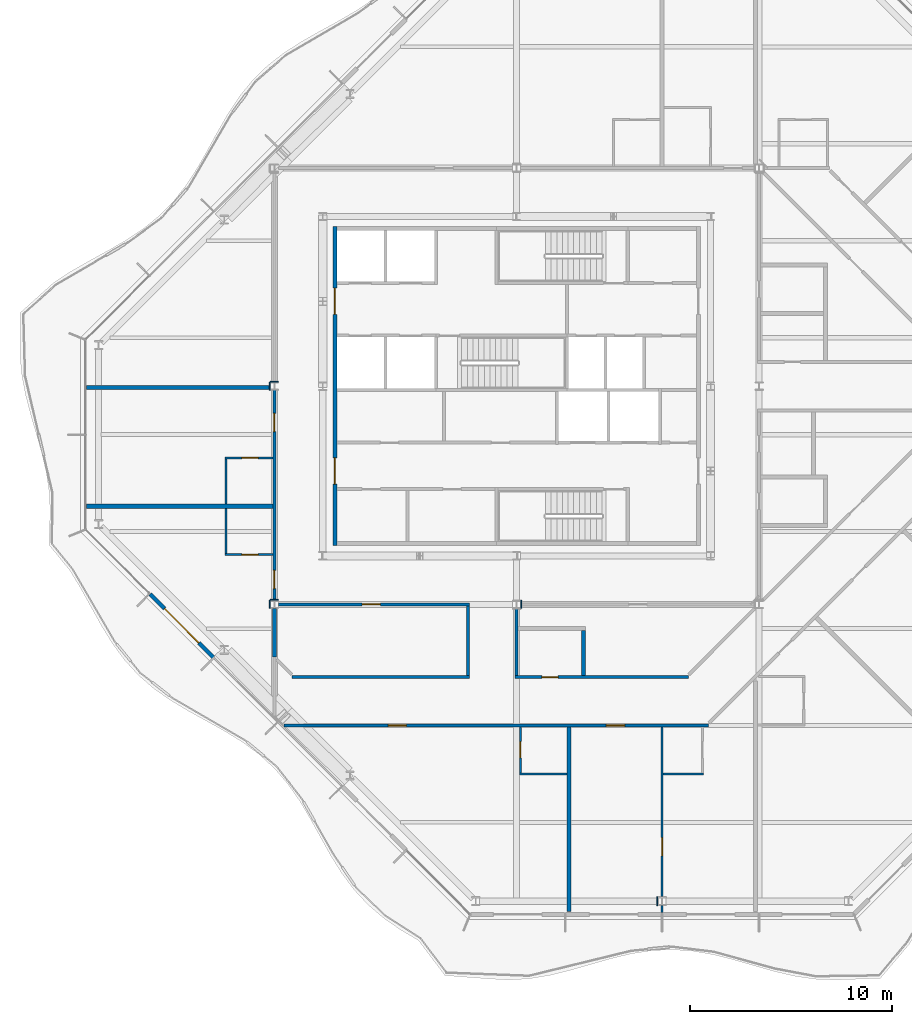
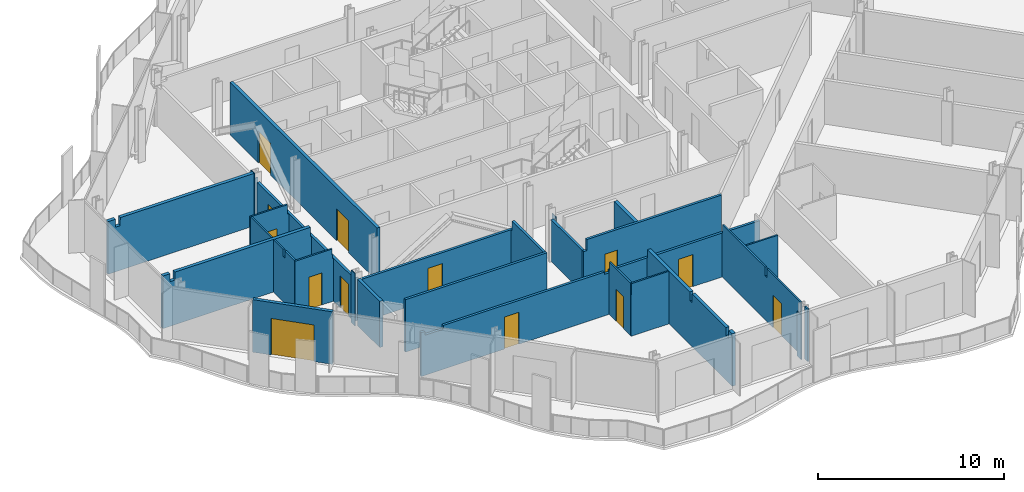
# One storey, part 7 of 17: 29 walls, 13 doors, 13 openings.
"""IFC4 building model written with IfcOpenShell, lengths in metres."""

from ifc_helpers import new_model, si_unit, direction, frame, frame_2d, origin, place, context, subcontext, project, spatial, polyline, rectangle, outline, extrude, material, layer, layer_set, type_object, element, fill, save


model = new_model("IFC4")

# Units and contexts
model_context = context("Model", 3, precision=1e-05, world=origin(), true_north=direction((0.0, 1.0)))
body_context = subcontext(model_context, "Body", "Model", "MODEL_VIEW")
ifc_project = project(units=[si_unit("LENGTHUNIT", "METRE"), si_unit("AREAUNIT", "SQUARE_METRE"), si_unit("VOLUMEUNIT", "CUBIC_METRE"), si_unit("PLANEANGLEUNIT", "RADIAN"), si_unit("MASSUNIT", "GRAM", prefix="KILO")], contexts=[model_context])

# Site, building, storey
site_placement = place(None, origin())
site = spatial("IfcSite", under=ifc_project, at=site_placement, CompositionType="ELEMENT")
building_placement = place(site_placement, origin())
building = spatial("IfcBuilding", under=site, at=building_placement, Name="Cairn Pilgrim Tower", CompositionType="ELEMENT")
storey_placement = place(building_placement, frame((0.0, 0.0, 225.0)))
storey = spatial("IfcBuildingStorey", under=building, at=storey_placement, Name="L57", CompositionType="ELEMENT", Elevation=225.0)

# Wall, opening, door
ifc_material_1 = material(Name="Bronze anodised aluminium insulated sandwich panel with mineral wool fill", Category="aluminium")
ifc_layer_1 = layer(ifc_material_1, 0.199951171875)
ifc_layer_set_1 = layer_set([ifc_layer_1], Name="BRONZE INFILL FRAME WALL 200")
wall_type_1 = type_object("IfcWallType", Name="BRONZE INFILL FRAME WALL 200", PredefinedType="NOTDEFINED", material=ifc_layer_set_1)
wall_1_placement = place(storey_placement, frame((-10.953125, -7.893310546875, 0.0), z_axis=(0.0, 0.0, 1.0), x_axis=(0.707106781187, -0.707106781187, 0.0)))
wall_1 = element("IfcWall", 1, at=wall_1_placement, inside=storey, type_object=wall_type_1, Name="Bronze infill frame wall IW-SW2", PredefinedType="NOTDEFINED", context=body_context, shape_type="SweptSolid", body=[
    extrude(rectangle(XDim=4.430908203125, YDim=0.199951171875, at=frame_2d((2.21533203125, 0.0))), origin(), (0.0, 0.0, 1.0), 3.449951171875),
])
opening_1_placement = place(wall_1_placement, frame((1.015380859375, 0.0, 0.0)))
opening_1 = element("IfcOpeningElement", 2, at=opening_1_placement, cuts=wall_1, Name="Opening 5712B", PredefinedType="OPENING", context=body_context, shape_type="SweptSolid", body=[
    extrude(rectangle(XDim=2.39990234375, YDim=2.39990234375, at=frame_2d((1.199951171875, 1.199951171875))), frame((0.0, 0.10986328125, 0.0), z_axis=(0.0, -1.0, 0.0), x_axis=(1.0, 0.0, 0.0)), (0.0, 0.0, 1.0), 0.219970703125),
])
ifc_material_2 = material(Name="Bronze anodised aluminium frame with tinted low-E glass", Category="aluminium")
door_type_1 = type_object("IfcDoorType", Name="BALCONY SLIDING DOOR 2400x2400", OperationType="DOUBLE_DOOR_SLIDING", PredefinedType="DOOR", material=ifc_material_2)
door_1_placement = place(opening_1_placement, origin())
door_1 = element("IfcDoor", 3, at=door_1_placement, inside=storey, type_object=door_type_1, Name="Balcony sliding door 5712B", OperationType="SINGLE_SWING_LEFT", OverallHeight=2.39990234375, OverallWidth=2.39990234375, PredefinedType="DOOR", context=body_context, shape_type="SweptSolid", body=[
    extrude(rectangle(XDim=2.39990234375, YDim=2.39990234375, at=frame_2d((1.199951171875, 1.199951171875))), frame((0.0, 0.02490234375, 0.0), z_axis=(0.0, -1.0, 0.0), x_axis=(1.0, 0.0, 0.0)), (0.0, 0.0, 1.0), 0.050048828125),
])
fill(opening_1, door_1)

# Wall, openings, doors
ifc_material_3 = material(Name="Concrete C32/40", Category="concrete")
ifc_layer_2 = layer(ifc_material_3, 0.199951171875)
ifc_layer_set_2 = layer_set([ifc_layer_2], Name="CORE OUTER WALL 200 EI 120")
wall_type_2 = type_object("IfcWallType", Name="CORE OUTER WALL 200 EI 120", PredefinedType="SOLIDWALL", material=ifc_layer_set_2)
wall_2_placement = place(storey_placement, frame((-1.800048828125, -5.5, 0.0), z_axis=(0.0, 0.0, 1.0), x_axis=(0.0, 1.0, 0.0)))
wall_2 = element("IfcWall", 4, at=wall_2_placement, inside=storey, type_object=wall_type_2, Name="CW:L57:V13", PredefinedType="SOLIDWALL", context=body_context, shape_type="SweptSolid", body=[
    extrude(rectangle(XDim=15.800048828125, YDim=0.199951171875, at=frame_2d((7.89990234375, 0.0))), origin(), (0.0, 0.0, 1.0), 3.449951171875),
])
opening_2_placement = place(wall_2_placement, frame((3.050048828125, 0.0, 0.0)))
opening_2 = element("IfcOpeningElement", 5, at=opening_2_placement, cuts=wall_2, Name="Opening CD-W1", PredefinedType="OPENING", context=body_context, shape_type="SweptSolid", body=[
    extrude(rectangle(XDim=1.300048828125, YDim=2.10009765625, at=frame_2d((0.64990234375, 1.050048828125))), frame((0.0, 0.10986328125, 0.0), z_axis=(0.0, -1.0, 0.0), x_axis=(1.0, 0.0, 0.0)), (0.0, 0.0, 1.0), 0.219970703125),
])
opening_3_placement = place(wall_2_placement, frame((11.449951171875, 0.0, 0.0)))
opening_3 = element("IfcOpeningElement", 6, at=opening_3_placement, cuts=wall_2, Name="Opening CD-W2", PredefinedType="OPENING", context=body_context, shape_type="SweptSolid", body=[
    extrude(rectangle(XDim=1.300048828125, YDim=2.10009765625, at=frame_2d((0.64990234375, 1.050048828125))), frame((0.0, 0.10986328125, 0.0), z_axis=(0.0, -1.0, 0.0), x_axis=(1.0, 0.0, 0.0)), (0.0, 0.0, 1.0), 0.219970703125),
])
ifc_material_4 = material(Name="Painted steel", Category="steel")
door_type_2 = type_object("IfcDoorType", Name="CORE LOBBY DOOR 1300x2100", OperationType="DOUBLE_DOOR_SINGLE_SWING", PredefinedType="DOOR", material=ifc_material_4)
door_2_placement = place(opening_2_placement, origin())
door_2 = element("IfcDoor", 7, at=door_2_placement, inside=storey, type_object=door_type_2, Name="CD-W1", OperationType="DOUBLE_DOOR_SINGLE_SWING", OverallHeight=2.10009765625, OverallWidth=1.300048828125, PredefinedType="DOOR", context=body_context, shape_type="SweptSolid", body=[
    extrude(rectangle(XDim=1.300048828125, YDim=2.10009765625, at=frame_2d((0.64990234375, 1.050048828125))), frame((0.0, 0.02490234375, 0.0), z_axis=(0.0, -1.0, 0.0), x_axis=(1.0, 0.0, 0.0)), (0.0, 0.0, 1.0), 0.050048828125),
])
fill(opening_2, door_2)
door_3_placement = place(opening_3_placement, origin())
door_3 = element("IfcDoor", 8, at=door_3_placement, inside=storey, type_object=door_type_2, Name="CD-W2", OperationType="DOUBLE_DOOR_SINGLE_SWING", OverallHeight=2.10009765625, OverallWidth=1.300048828125, PredefinedType="DOOR", context=body_context, shape_type="SweptSolid", body=[
    extrude(rectangle(XDim=1.300048828125, YDim=2.10009765625, at=frame_2d((0.64990234375, 1.050048828125))), frame((0.0, 0.02490234375, 0.0), z_axis=(0.0, -1.0, 0.0), x_axis=(1.0, 0.0, 0.0)), (0.0, 0.0, 1.0), 0.050048828125),
])
fill(opening_3, door_3)

# Wall
ifc_material_5 = material(Name="Gypsum partition")
ifc_layer_3 = layer(ifc_material_5, 0.10009765625)
ifc_layer_set_3 = layer_set([ifc_layer_3], Name="PARTITION 100 DRYWALL")
wall_type_3 = type_object("IfcWallType", Name="PARTITION 100 DRYWALL", PredefinedType="PARTITIONING", material=ifc_layer_set_3)
wall_3_placement = place(storey_placement, frame((14.39990234375, -23.64990234375, 0.0), z_axis=(0.0, 0.0, 1.0), x_axis=(0.0, 1.0, 0.0)))
element("IfcWall", 9, at=wall_3_placement, inside=storey, type_object=wall_type_3, Name="PARTITION W001", PredefinedType="PARTITIONING", context=body_context, shape_type="SweptSolid", body=[
    extrude(rectangle(XDim=0.326904296875, YDim=0.10009765625, at=frame_2d((0.16357421875, 0.0))), origin(), (0.0, 0.0, 1.0), 3.449951171875),
])

# Wall, opening, door
wall_4_placement = place(storey_placement, frame((14.39990234375, -22.876953125, 0.0), z_axis=(0.0, 0.0, 1.0), x_axis=(0.0, 1.0, 0.0)))
wall_4 = element("IfcWall", 10, at=wall_4_placement, inside=storey, type_object=wall_type_3, Name="PARTITION W004", PredefinedType="PARTITIONING", context=body_context, shape_type="SweptSolid", body=[
    extrude(outline(polyline([(0.0, 0.0), (8.40185546875, 0.0), (8.402099609375, 2.8798828125), (8.3720703125, 2.8798828125), (8.3701171875, 3.449951171875), (3.781982421875, 3.449951171875), (3.780029296875, 2.8798828125), (3.572021484375, 2.8798828125), (3.570068359375, 3.449951171875), (0.0, 3.449951171875), (0.0, 0.0)])), frame((0.0, 0.050048828125, 0.0), z_axis=(0.0, -1.0, 0.0), x_axis=(1.0, 0.0, 0.0)), (0.0, 0.0, 1.0), 0.10009765625),
])
opening_4_placement = place(wall_4_placement, frame((2.027099609375, 0.0, 0.0)))
opening_4 = element("IfcOpeningElement", 11, at=opening_4_placement, cuts=wall_4, Name="Opening 5714C", PredefinedType="OPENING", context=body_context, shape_type="SweptSolid", body=[
    extrude(rectangle(XDim=0.89990234375, YDim=2.10009765625, at=frame_2d((0.449951171875, 1.050048828125))), frame((0.0, 0.06005859375, 0.0), z_axis=(0.0, -1.0, 0.0), x_axis=(1.0, 0.0, 0.0)), (0.0, 0.0, 1.0), 0.1201171875),
])
ifc_material_6 = material(Name="Timber door leaf", Category="wood")
door_type_3 = type_object("IfcDoorType", Name="SERVICE DOOR 900x2100", OperationType="NOTDEFINED", PredefinedType="DOOR", material=ifc_material_6)
door_4_placement = place(opening_4_placement, origin())
door_4 = element("IfcDoor", 12, at=door_4_placement, inside=storey, type_object=door_type_3, Name="DOOR 5714C", OperationType="SINGLE_SWING_RIGHT", OverallHeight=2.10009765625, OverallWidth=0.89990234375, PredefinedType="DOOR", context=body_context, shape_type="SweptSolid", body=[
    extrude(rectangle(XDim=0.89990234375, YDim=2.10009765625, at=frame_2d((0.449951171875, 1.050048828125))), frame((0.0, 0.02490234375, 0.0), z_axis=(0.0, -1.0, 0.0), x_axis=(1.0, 0.0, 0.0)), (0.0, 0.0, 1.0), 0.050048828125),
])
fill(opening_4, door_4)

# Wall
wall_5_placement = place(storey_placement, frame((7.3359375, -16.800048828125, 0.0), z_axis=(0.0, 0.0, 1.0), x_axis=(1.0, 0.0, 0.0)))
element("IfcWall", 13, at=wall_5_placement, inside=storey, type_object=wall_type_3, Name="PARTITION W006", PredefinedType="PARTITIONING", context=body_context, shape_type="SweptSolid", body=[
    extrude(outline(polyline([(0.0, 0.0), (2.35009765625, 0.0), (2.35009765625, 3.449951171875), (0.013916015625, 3.449951171875), (0.011962890625, 2.72998046875), (0.0, 2.72998046875), (0.0, 0.0)])), frame((0.0, 0.050048828125, 0.0), z_axis=(0.0, -1.0, 0.0), x_axis=(1.0, 0.0, 0.0)), (0.0, 0.0, 1.0), 0.10009765625),
])

# Wall, opening, door
wall_6_placement = place(storey_placement, frame((7.385986328125, -16.75, 0.0), z_axis=(0.0, 0.0, 1.0), x_axis=(0.0, 1.0, 0.0)))
wall_6 = element("IfcWall", 14, at=wall_6_placement, inside=storey, type_object=wall_type_3, Name="PARTITION W007", PredefinedType="PARTITIONING", context=body_context, shape_type="SweptSolid", body=[
    extrude(outline(polyline([(0.0, 0.0), (2.27490234375, 0.0), (2.27490234375, 2.8798828125), (2.2451171875, 2.8798828125), (2.242919921875, 3.449951171875), (0.0, 3.449951171875), (0.0, 0.0)])), frame((0.0, 0.050048828125, 0.0), z_axis=(0.0, -1.0, 0.0), x_axis=(1.0, 0.0, 0.0)), (0.0, 0.0, 1.0), 0.10009765625),
])
opening_5_placement = place(wall_6_placement, frame((0.75, 0.0, 0.0)))
opening_5 = element("IfcOpeningElement", 15, at=opening_5_placement, cuts=wall_6, Name="Opening 5713A", PredefinedType="OPENING", context=body_context, shape_type="SweptSolid", body=[
    extrude(rectangle(XDim=0.800048828125, YDim=2.10009765625, at=frame_2d((0.39990234375, 1.050048828125))), frame((0.0, 0.06005859375, 0.0), z_axis=(0.0, -1.0, 0.0), x_axis=(1.0, 0.0, 0.0)), (0.0, 0.0, 1.0), 0.1201171875),
])
door_type_4 = type_object("IfcDoorType", Name="WC DOOR 800x2100", OperationType="NOTDEFINED", PredefinedType="DOOR", material=ifc_material_6)
door_5_placement = place(opening_5_placement, origin())
door_5 = element("IfcDoor", 16, at=door_5_placement, inside=storey, type_object=door_type_4, Name="DOOR 5713A", OperationType="SINGLE_SWING_RIGHT", OverallHeight=2.10009765625, OverallWidth=0.800048828125, PredefinedType="DOOR", context=body_context, shape_type="SweptSolid", body=[
    extrude(rectangle(XDim=0.800048828125, YDim=2.10009765625, at=frame_2d((0.39990234375, 1.050048828125))), frame((0.0, 0.02490234375, 0.0), z_axis=(0.0, -1.0, 0.0), x_axis=(1.0, 0.0, 0.0)), (0.0, 0.0, 1.0), 0.050048828125),
])
fill(opening_5, door_5)

# Wall
wall_7_placement = place(storey_placement, frame((14.449951171875, -16.800048828125, 0.0), z_axis=(0.0, 0.0, 1.0), x_axis=(1.0, 0.0, 0.0)))
element("IfcWall", 17, at=wall_7_placement, inside=storey, type_object=wall_type_3, Name="PARTITION W008", PredefinedType="PARTITIONING", context=body_context, shape_type="SweptSolid", body=[
    extrude(rectangle(XDim=2.0, YDim=0.10009765625, at=frame_2d((1.0, 0.0))), origin(), (0.0, 0.0, 1.0), 3.449951171875),
])

# Wall, opening, door
wall_8_placement = place(storey_placement, frame((-7.25, -5.944091796875, 0.0), z_axis=(0.0, 0.0, 1.0), x_axis=(1.0, 0.0, 0.0)))
wall_8 = element("IfcWall", 18, at=wall_8_placement, inside=storey, type_object=wall_type_3, Name="PARTITION W036", PredefinedType="PARTITIONING", context=body_context, shape_type="SweptSolid", body=[
    extrude(outline(polyline([(0.0, 0.0), (2.375, 0.0), (2.375, 2.830078125), (2.300048828125, 2.830078125), (2.298095703125, 3.449951171875), (0.0, 3.449951171875), (0.0, 0.0)])), frame((0.0, 0.050048828125, 0.0), z_axis=(0.0, -1.0, 0.0), x_axis=(1.0, 0.0, 0.0)), (0.0, 0.0, 1.0), 0.10009765625),
])
opening_6_placement = place(wall_8_placement, frame((0.85009765625, 0.0, 0.0)))
opening_6 = element("IfcOpeningElement", 19, at=opening_6_placement, cuts=wall_8, Name="Opening 5712A", PredefinedType="OPENING", context=body_context, shape_type="SweptSolid", body=[
    extrude(rectangle(XDim=0.800048828125, YDim=2.10009765625, at=frame_2d((0.39990234375, 1.050048828125))), frame((0.0, 0.06005859375, 0.0), z_axis=(0.0, -1.0, 0.0), x_axis=(1.0, 0.0, 0.0)), (0.0, 0.0, 1.0), 0.1201171875),
])
door_6_placement = place(opening_6_placement, frame((0.800048828125, 0.0, 0.0), z_axis=(0.0, 0.0, 1.0), x_axis=(-1.0, 0.0, 0.0)))
door_6 = element("IfcDoor", 20, at=door_6_placement, inside=storey, type_object=door_type_4, Name="DOOR 5712A", OperationType="SINGLE_SWING_RIGHT", OverallHeight=2.10009765625, OverallWidth=0.800048828125, PredefinedType="DOOR", context=body_context, shape_type="SweptSolid", body=[
    extrude(rectangle(XDim=0.800048828125, YDim=2.10009765625, at=frame_2d((0.39990234375, 1.050048828125))), frame((0.0, 0.02490234375, 0.0), z_axis=(0.0, -1.0, 0.0), x_axis=(1.0, 0.0, 0.0)), (0.0, 0.0, 1.0), 0.050048828125),
])
fill(opening_6, door_6)

# Walls
wall_9_placement = place(storey_placement, frame((-7.199951171875, -5.89404296875, 0.0), z_axis=(0.0, 0.0, 1.0), x_axis=(0.0, 1.0, 0.0)))
element("IfcWall", 21, at=wall_9_placement, inside=storey, type_object=wall_type_3, Name="PARTITION W037", PredefinedType="PARTITIONING", context=body_context, shape_type="SweptSolid", body=[
    extrude(outline(polyline([(0.0, 0.0), (2.25, 0.0), (2.25, 3.449951171875), (1.18896484375, 3.449951171875), (1.18701171875, 2.97998046875), (0.9990234375, 2.97998046875), (0.9970703125, 3.449951171875), (0.0, 3.449951171875), (0.0, 0.0)])), frame((0.0, 0.050048828125, 0.0), z_axis=(0.0, -1.0, 0.0), x_axis=(1.0, 0.0, 0.0)), (0.0, 0.0, 1.0), 0.10009765625),
])
wall_10_placement = place(storey_placement, frame((-7.199951171875, -3.444091796875, 0.0), z_axis=(0.0, 0.0, 1.0), x_axis=(0.0, 1.0, 0.0)))
element("IfcWall", 22, at=wall_10_placement, inside=storey, type_object=wall_type_3, Name="PARTITION W041", PredefinedType="PARTITIONING", context=body_context, shape_type="SweptSolid", body=[
    extrude(rectangle(XDim=2.25, YDim=0.10009765625, at=frame_2d((1.125, 0.0))), origin(), (0.0, 0.0, 1.0), 3.449951171875),
])

# Wall, opening, door
wall_11_placement = place(storey_placement, frame((-7.25, -1.14404296875, 0.0), z_axis=(0.0, 0.0, 1.0), x_axis=(1.0, 0.0, 0.0)))
wall_11 = element("IfcWall", 23, at=wall_11_placement, inside=storey, type_object=wall_type_3, Name="PARTITION W044", PredefinedType="PARTITIONING", context=body_context, shape_type="SweptSolid", body=[
    extrude(outline(polyline([(0.0, 0.0), (2.375, 0.0), (2.375, 2.830078125), (2.300048828125, 2.830078125), (2.298095703125, 3.449951171875), (0.0, 3.449951171875), (0.0, 0.0)])), frame((0.0, 0.050048828125, 0.0), z_axis=(0.0, -1.0, 0.0), x_axis=(1.0, 0.0, 0.0)), (0.0, 0.0, 1.0), 0.10009765625),
])
opening_7_placement = place(wall_11_placement, frame((0.85009765625, 0.0, 0.0)))
opening_7 = element("IfcOpeningElement", 24, at=opening_7_placement, cuts=wall_11, Name="Opening 5711A", PredefinedType="OPENING", context=body_context, shape_type="SweptSolid", body=[
    extrude(rectangle(XDim=0.800048828125, YDim=2.10009765625, at=frame_2d((0.39990234375, 1.050048828125))), frame((0.0, 0.06005859375, 0.0), z_axis=(0.0, -1.0, 0.0), x_axis=(1.0, 0.0, 0.0)), (0.0, 0.0, 1.0), 0.1201171875),
])
door_7_placement = place(opening_7_placement, origin())
door_7 = element("IfcDoor", 25, at=door_7_placement, inside=storey, type_object=door_type_4, Name="DOOR 5711A", OperationType="SINGLE_SWING_RIGHT", OverallHeight=2.10009765625, OverallWidth=0.800048828125, PredefinedType="DOOR", context=body_context, shape_type="SweptSolid", body=[
    extrude(rectangle(XDim=0.800048828125, YDim=2.10009765625, at=frame_2d((0.39990234375, 1.050048828125))), frame((0.0, 0.02490234375, 0.0), z_axis=(0.0, -1.0, 0.0), x_axis=(1.0, 0.0, 0.0)), (0.0, 0.0, 1.0), 0.050048828125),
])
fill(opening_7, door_7)

# Wall, openings, doors
ifc_layer_4 = layer(ifc_material_5, 0.14990234375)
ifc_layer_set_4 = layer_set([ifc_layer_4], Name="PARTITION 150 DRYWALL EI 60")
wall_type_4 = type_object("IfcWallType", Name="PARTITION 150 DRYWALL EI 60", PredefinedType="PARTITIONING", material=ifc_layer_set_4)
wall_12_placement = place(storey_placement, frame((-4.326171875, -14.39990234375, 0.0), z_axis=(0.0, 0.0, 1.0), x_axis=(1.0, 0.0, 0.0)))
wall_12 = element("IfcWall", 26, at=wall_12_placement, inside=storey, type_object=wall_type_4, Name="PARTITION W011", PredefinedType="PARTITIONING", context=body_context, shape_type="SweptSolid", body=[
    extrude(outline(polyline([(0.0, 0.0), (21.0263671875, 0.0), (21.026123046875, 2.8798828125), (11.676025390625, 2.8798828125), (11.674072265625, 2.72998046875), (11.376220703125, 2.72998046875), (11.3740234375, 2.8798828125), (1.368896484375, 2.8798828125), (1.366943359375, 2.6298828125), (0.22900390625, 2.6298828125), (0.226806640625, 2.8798828125), (0.0, 2.8798828125), (0.0, 0.0)])), frame((0.0, 0.074951171875, 0.0), z_axis=(0.0, -1.0, 0.0), x_axis=(1.0, 0.0, 0.0)), (0.0, 0.0, 1.0), 0.14990234375),
])
opening_8_placement = place(wall_12_placement, frame((5.169189453125, 0.0, 0.0)))
opening_8 = element("IfcOpeningElement", 27, at=opening_8_placement, cuts=wall_12, Name="Opening 5713", PredefinedType="OPENING", context=body_context, shape_type="SweptSolid", body=[
    extrude(rectangle(XDim=0.89990234375, YDim=2.10009765625, at=frame_2d((0.449951171875, 1.050048828125))), frame((0.0, 0.0849609375, 0.0), z_axis=(0.0, -1.0, 0.0), x_axis=(1.0, 0.0, 0.0)), (0.0, 0.0, 1.0), 0.169921875),
])
opening_9_placement = place(wall_12_placement, frame((15.968994140625, 0.0, 0.0)))
opening_9 = element("IfcOpeningElement", 28, at=opening_9_placement, cuts=wall_12, Name="Opening 5714", PredefinedType="OPENING", context=body_context, shape_type="SweptSolid", body=[
    extrude(rectangle(XDim=0.89990234375, YDim=2.10009765625, at=frame_2d((0.449951171875, 1.050048828125))), frame((0.0, 0.0849609375, 0.0), z_axis=(0.0, -1.0, 0.0), x_axis=(1.0, 0.0, 0.0)), (0.0, 0.0, 1.0), 0.169921875),
])
door_type_5 = type_object("IfcDoorType", Name="ROOM DOOR 900x2100 FD30S", OperationType="NOTDEFINED", PredefinedType="DOOR", material=ifc_material_6)
door_8_placement = place(opening_8_placement, frame((0.89990234375, 0.0, 0.0), z_axis=(0.0, 0.0, 1.0), x_axis=(-1.0, 0.0, 0.0)))
door_8 = element("IfcDoor", 29, at=door_8_placement, inside=storey, type_object=door_type_5, Name="DOOR 5713", OperationType="SINGLE_SWING_RIGHT", OverallHeight=2.10009765625, OverallWidth=0.89990234375, PredefinedType="DOOR", context=body_context, shape_type="SweptSolid", body=[
    extrude(rectangle(XDim=0.89990234375, YDim=2.10009765625, at=frame_2d((0.449951171875, 1.050048828125))), frame((0.0, 0.02490234375, 0.0), z_axis=(0.0, -1.0, 0.0), x_axis=(1.0, 0.0, 0.0)), (0.0, 0.0, 1.0), 0.050048828125),
])
fill(opening_8, door_8)
door_9_placement = place(opening_9_placement, frame((0.89990234375, 0.0, 0.0), z_axis=(0.0, 0.0, 1.0), x_axis=(-1.0, 0.0, 0.0)))
door_9 = element("IfcDoor", 30, at=door_9_placement, inside=storey, type_object=door_type_5, Name="DOOR 5714", OperationType="SINGLE_SWING_RIGHT", OverallHeight=2.10009765625, OverallWidth=0.89990234375, PredefinedType="DOOR", context=body_context, shape_type="SweptSolid", body=[
    extrude(rectangle(XDim=0.89990234375, YDim=2.10009765625, at=frame_2d((0.449951171875, 1.050048828125))), frame((0.0, 0.02490234375, 0.0), z_axis=(0.0, -1.0, 0.0), x_axis=(1.0, 0.0, 0.0)), (0.0, 0.0, 1.0), 0.050048828125),
])
fill(opening_9, door_9)

# Wall
wall_13_placement = place(storey_placement, frame((-3.912109375, -12.0, 0.0), z_axis=(0.0, 0.0, 1.0), x_axis=(1.0, 0.0, 0.0)))
element("IfcWall", 31, at=wall_13_placement, inside=storey, type_object=wall_type_4, Name="PARTITION W017", PredefinedType="PARTITIONING", context=body_context, shape_type="SweptSolid", body=[
    extrude(rectangle(XDim=8.787109375, YDim=0.14990234375, at=frame_2d((4.3935546875, 0.0))), origin(), (0.0, 0.0, 1.0), 3.449951171875),
])

# Wall, opening, door
wall_14_placement = place(storey_placement, frame((7.125, -12.0, 0.0), z_axis=(0.0, 0.0, 1.0), x_axis=(1.0, 0.0, 0.0)))
wall_14 = element("IfcWall", 32, at=wall_14_placement, inside=storey, type_object=wall_type_4, Name="PARTITION W018", PredefinedType="PARTITIONING", context=body_context, shape_type="SweptSolid", body=[
    extrude(outline(polyline([(0.0, 0.0), (8.5810546875, 0.0), (8.5810546875, 3.449951171875), (0.22509765625, 3.449951171875), (0.222900390625, 2.72998046875), (0.0, 2.72998046875), (0.0, 0.0)])), frame((0.0, 0.074951171875, 0.0), z_axis=(0.0, -1.0, 0.0), x_axis=(1.0, 0.0, 0.0)), (0.0, 0.0, 1.0), 0.14990234375),
])
opening_10_placement = place(wall_14_placement, frame((1.324951171875, 0.0, 0.0)))
opening_10 = element("IfcOpeningElement", 33, at=opening_10_placement, cuts=wall_14, Name="Opening 5719", PredefinedType="OPENING", context=body_context, shape_type="SweptSolid", body=[
    extrude(rectangle(XDim=0.800048828125, YDim=2.10009765625, at=frame_2d((0.39990234375, 1.050048828125))), frame((0.0, 0.0849609375, 0.0), z_axis=(0.0, -1.0, 0.0), x_axis=(1.0, 0.0, 0.0)), (0.0, 0.0, 1.0), 0.169921875),
])
door_type_6 = type_object("IfcDoorType", Name="WC DOOR 800x2100 FD30S", OperationType="NOTDEFINED", PredefinedType="DOOR", material=ifc_material_6)
door_10_placement = place(opening_10_placement, origin())
door_10 = element("IfcDoor", 34, at=door_10_placement, inside=storey, type_object=door_type_6, Name="DOOR 5719", OperationType="SINGLE_SWING_RIGHT", OverallHeight=2.10009765625, OverallWidth=0.800048828125, PredefinedType="DOOR", context=body_context, shape_type="SweptSolid", body=[
    extrude(rectangle(XDim=0.800048828125, YDim=2.10009765625, at=frame_2d((0.39990234375, 1.050048828125))), frame((0.0, 0.02490234375, 0.0), z_axis=(0.0, -1.0, 0.0), x_axis=(1.0, 0.0, 0.0)), (0.0, 0.0, 1.0), 0.050048828125),
])
fill(opening_10, door_10)

# Walls
wall_15_placement = place(storey_placement, frame((4.800048828125, -11.925048828125, 0.0), z_axis=(0.0, 0.0, 1.0), x_axis=(0.0, 1.0, 0.0)))
element("IfcWall", 35, at=wall_15_placement, inside=storey, type_object=wall_type_4, Name="PARTITION W021", PredefinedType="PARTITIONING", context=body_context, shape_type="SweptSolid", body=[
    extrude(outline(polyline([(0.0, 0.0), (3.449951171875, 0.0), (3.449951171875, 2.830078125), (3.375, 2.830078125), (3.373046875, 3.449951171875), (0.0, 3.449951171875), (0.0, 0.0)])), frame((0.0, 0.074951171875, 0.0), z_axis=(0.0, -1.0, 0.0), x_axis=(1.0, 0.0, 0.0)), (0.0, 0.0, 1.0), 0.14990234375),
])
wall_16_placement = place(storey_placement, frame((7.199951171875, -11.925048828125, 0.0), z_axis=(0.0, 0.0, 1.0), x_axis=(0.0, 1.0, 0.0)))
element("IfcWall", 36, at=wall_16_placement, inside=storey, type_object=wall_type_4, Name="PARTITION W022", PredefinedType="PARTITIONING", context=body_context, shape_type="SweptSolid", body=[
    extrude(rectangle(XDim=3.32861328125, YDim=0.14990234375, at=frame_2d((1.664306640625, 0.0))), origin(), (0.0, 0.0, 1.0), 2.72998046875),
])

# Wall, opening, door
wall_17_placement = place(storey_placement, frame((-4.6005859375, -8.39990234375, 0.0), z_axis=(0.0, 0.0, 1.0), x_axis=(1.0, 0.0, 0.0)))
wall_17 = element("IfcWall", 37, at=wall_17_placement, inside=storey, type_object=wall_type_4, Name="PARTITION W030", PredefinedType="PARTITIONING", context=body_context, shape_type="SweptSolid", body=[
    extrude(rectangle(XDim=9.4755859375, YDim=0.14990234375, at=frame_2d((4.73779296875, 0.0))), origin(), (0.0, 0.0, 1.0), 2.830078125),
])
opening_11_placement = place(wall_17_placement, frame((4.150390625, 0.0, 0.0)))
opening_11 = element("IfcOpeningElement", 38, at=opening_11_placement, cuts=wall_17, Name="Opening 5722", PredefinedType="OPENING", context=body_context, shape_type="SweptSolid", body=[
    extrude(rectangle(XDim=0.89990234375, YDim=2.10009765625, at=frame_2d((0.449951171875, 1.050048828125))), frame((0.0, 0.0849609375, 0.0), z_axis=(0.0, -1.0, 0.0), x_axis=(1.0, 0.0, 0.0)), (0.0, 0.0, 1.0), 0.169921875),
])
door_type_7 = type_object("IfcDoorType", Name="SERVICE DOOR 900x2100 FD30S", OperationType="NOTDEFINED", PredefinedType="DOOR", material=ifc_material_6)
door_11_placement = place(opening_11_placement, frame((0.89990234375, 0.0, 0.0), z_axis=(0.0, 0.0, 1.0), x_axis=(-1.0, 0.0, 0.0)))
door_11 = element("IfcDoor", 39, at=door_11_placement, inside=storey, type_object=door_type_7, Name="DOOR 5722", OperationType="SINGLE_SWING_LEFT", OverallHeight=2.10009765625, OverallWidth=0.89990234375, PredefinedType="DOOR", context=body_context, shape_type="SweptSolid", body=[
    extrude(rectangle(XDim=0.89990234375, YDim=2.10009765625, at=frame_2d((0.449951171875, 1.050048828125))), frame((0.0, 0.02490234375, 0.0), z_axis=(0.0, -1.0, 0.0), x_axis=(1.0, 0.0, 0.0)), (0.0, 0.0, 1.0), 0.050048828125),
])
fill(opening_11, door_11)

# Wall, openings, doors
wall_18_placement = place(storey_placement, frame((-4.800048828125, -8.20361328125, 0.0), z_axis=(0.0, 0.0, 1.0), x_axis=(0.0, 1.0, 0.0)))
wall_18 = element("IfcWall", 40, at=wall_18_placement, inside=storey, type_object=wall_type_4, Name="PARTITION W032", PredefinedType="PARTITIONING", context=body_context, shape_type="SweptSolid", body=[
    extrude(rectangle(XDim=10.4072265625, YDim=0.14990234375, at=frame_2d((5.20361328125, 0.0))), origin(), (0.0, 0.0, 1.0), 2.830078125),
])
opening_12_placement = place(wall_18_placement, frame((8.353515625, 0.0, 0.0)))
opening_12 = element("IfcOpeningElement", 41, at=opening_12_placement, cuts=wall_18, Name="Opening 5711", PredefinedType="OPENING", context=body_context, shape_type="SweptSolid", body=[
    extrude(rectangle(XDim=0.89990234375, YDim=2.10009765625, at=frame_2d((0.449951171875, 1.050048828125))), frame((0.0, 0.0849609375, 0.0), z_axis=(0.0, -1.0, 0.0), x_axis=(1.0, 0.0, 0.0)), (0.0, 0.0, 1.0), 0.169921875),
])
opening_13_placement = place(wall_18_placement, frame((0.58154296875, 0.0, 0.0)))
opening_13 = element("IfcOpeningElement", 42, at=opening_13_placement, cuts=wall_18, Name="Opening 5712", PredefinedType="OPENING", context=body_context, shape_type="SweptSolid", body=[
    extrude(rectangle(XDim=0.89990234375, YDim=2.10009765625, at=frame_2d((0.449951171875, 1.050048828125))), frame((0.0, 0.0849609375, 0.0), z_axis=(0.0, -1.0, 0.0), x_axis=(1.0, 0.0, 0.0)), (0.0, 0.0, 1.0), 0.169921875),
])
door_12_placement = place(opening_12_placement, origin())
door_12 = element("IfcDoor", 43, at=door_12_placement, inside=storey, type_object=door_type_5, Name="DOOR 5711", OperationType="SINGLE_SWING_RIGHT", OverallHeight=2.10009765625, OverallWidth=0.89990234375, PredefinedType="DOOR", context=body_context, shape_type="SweptSolid", body=[
    extrude(rectangle(XDim=0.89990234375, YDim=2.10009765625, at=frame_2d((0.449951171875, 1.050048828125))), frame((0.0, 0.02490234375, 0.0), z_axis=(0.0, -1.0, 0.0), x_axis=(1.0, 0.0, 0.0)), (0.0, 0.0, 1.0), 0.050048828125),
])
fill(opening_12, door_12)
door_13_placement = place(opening_13_placement, origin())
door_13 = element("IfcDoor", 44, at=door_13_placement, inside=storey, type_object=door_type_5, Name="DOOR 5712", OperationType="SINGLE_SWING_RIGHT", OverallHeight=2.10009765625, OverallWidth=0.89990234375, PredefinedType="DOOR", context=body_context, shape_type="SweptSolid", body=[
    extrude(rectangle(XDim=0.89990234375, YDim=2.10009765625, at=frame_2d((0.449951171875, 1.050048828125))), frame((0.0, 0.02490234375, 0.0), z_axis=(0.0, -1.0, 0.0), x_axis=(1.0, 0.0, 0.0)), (0.0, 0.0, 1.0), 0.050048828125),
])
fill(opening_13, door_13)

# Walls
ifc_layer_5 = layer(ifc_material_5, 0.050048828125)
ifc_layer_set_5 = layer_set([ifc_layer_5], Name="PARTITION 50 DRYWALL")
wall_type_5 = type_object("IfcWallType", Name="PARTITION 50 DRYWALL", PredefinedType="PARTITIONING", material=ifc_layer_set_5)
wall_19_placement = place(storey_placement, frame((14.1669921875, -23.322998046875, 0.0), z_axis=(0.0, 0.0, 1.0), x_axis=(0.0, 1.0, 0.0)))
element("IfcWall", 45, at=wall_19_placement, inside=storey, type_object=wall_type_5, Name="COLUMN CASING WC01", PredefinedType="PARTITIONING", context=body_context, shape_type="SweptSolid", body=[
    extrude(rectangle(XDim=0.446044921875, YDim=0.050048828125, at=frame_2d((0.22314453125, 0.0))), origin(), (0.0, 0.0, 1.0), 2.929931640625),
])
ifc_layer_6 = layer(ifc_material_5, 0.050048828125)
ifc_layer_set_6 = layer_set([ifc_layer_6], Name="PARTITION 50 DRYWALL EI 60")
wall_type_6 = type_object("IfcWallType", Name="PARTITION 50 DRYWALL EI 60", PredefinedType="PARTITIONING", material=ifc_layer_set_6)
wall_20_placement = place(storey_placement, frame((7.424560546875, -8.596435546875, 0.0), z_axis=(0.0, 0.0, 1.0), x_axis=(0.0, 1.0, 0.0)))
element("IfcWall", 46, at=wall_20_placement, inside=storey, type_object=wall_type_6, Name="COLUMN CASING WC05", PredefinedType="PARTITIONING", context=body_context, shape_type="SweptSolid", body=[
    extrude(rectangle(XDim=0.392822265625, YDim=0.050048828125, at=frame_2d((0.1962890625, 0.0))), origin(), (0.0, 0.0, 1.0), 2.830078125),
])
for number, where, z_axis, x_axis, name in (
    (47, (-5.0244140625, -8.596435546875, 0.0), (0.0, 0.0, 1.0), (0.0, 1.0, 0.0), "COLUMN CASING WC08"),
    (48, (-5.0244140625, 2.20361328125, 0.0), (0.0, 0.0, 1.0), (0.0, 1.0, 0.0), "COLUMN CASING WC09"),
):
    element("IfcWall", number, at=place(storey_placement, frame(where, z_axis=z_axis, x_axis=x_axis)), inside=storey, type_object=wall_type_6, Name=name, PredefinedType="PARTITIONING", context=body_context, shape_type="SweptSolid", body=[
        extrude(rectangle(XDim=0.392822265625, YDim=0.050048828125, at=frame_2d((0.1962890625, 0.0))), origin(), (0.0, 0.0, 1.0), 3.449951171875),
    ])
for number, where, z_axis, x_axis, name in (
    (49, (-4.99951171875, -8.178466796875, 0.0), (0.0, 0.0, 1.0), (1.0, 0.0, 0.0), "COLUMN CASING WC11"),
    (50, (-4.99951171875, 2.62158203125, 0.0), (0.0, 0.0, 1.0), (1.0, 0.0, 0.0), "COLUMN CASING WC16"),
):
    element("IfcWall", number, at=place(storey_placement, frame(where, z_axis=z_axis, x_axis=x_axis)), inside=storey, type_object=wall_type_6, Name=name, PredefinedType="PARTITIONING", context=body_context, shape_type="SweptSolid", body=[
        extrude(rectangle(XDim=0.39892578125, YDim=0.050048828125, at=frame_2d((0.199462890625, 0.0))), origin(), (0.0, 0.0, 1.0), 2.830078125),
    ])
ifc_layer_7 = layer(ifc_material_5, 0.199951171875)
ifc_layer_set_7 = layer_set([ifc_layer_7], Name="SHAFT WALL 200 GYPSUM EI 60")
wall_type_7 = type_object("IfcWallType", Name="SHAFT WALL 200 GYPSUM EI 60", PredefinedType="PARTITIONING", material=ifc_layer_set_7)
wall_21_placement = place(storey_placement, frame((9.785888671875, -23.6201171875, 0.0), z_axis=(0.0, 0.0, 1.0), x_axis=(0.0, 1.0, 0.0)))
element("IfcWall", 51, at=wall_21_placement, inside=storey, type_object=wall_type_7, Name="PARTITION W002", PredefinedType="PARTITIONING", context=body_context, shape_type="SweptSolid", body=[
    extrude(outline(polyline([(0.0, 0.0), (9.14501953125, 0.0), (9.14501953125, 2.8798828125), (9.114990234375, 2.8798828125), (9.113037109375, 3.449951171875), (4.52490234375, 3.449951171875), (4.52294921875, 2.8798828125), (4.31494140625, 2.8798828125), (4.31298828125, 3.449951171875), (0.669921875, 3.449951171875), (0.66796875, 2.929931640625), (0.3701171875, 2.929931640625), (0.367919921875, 3.449951171875), (0.0, 3.449951171875), (0.0, 0.0)])), frame((0.0, 0.10009765625, 0.0), z_axis=(0.0, -1.0, 0.0), x_axis=(1.0, 0.0, 0.0)), (0.0, 0.0, 1.0), 0.199951171875),
])
wall_22_placement = place(storey_placement, frame((10.5, -11.925048828125, 0.0), z_axis=(0.0, 0.0, 1.0), x_axis=(0.0, 1.0, 0.0)))
element("IfcWall", 52, at=wall_22_placement, inside=storey, type_object=wall_type_7, Name="PARTITION W023", PredefinedType="PARTITIONING", context=body_context, shape_type="SweptSolid", body=[
    extrude(rectangle(XDim=2.22509765625, YDim=0.199951171875, at=frame_2d((1.112548828125, 0.0))), origin(), (0.0, 0.0, 1.0), 3.449951171875),
])
wall_23_placement = place(storey_placement, frame((-4.800048828125, -11.006103515625, 0.0), z_axis=(0.0, 0.0, 1.0), x_axis=(0.0, 1.0, 0.0)))
element("IfcWall", 53, at=wall_23_placement, inside=storey, type_object=wall_type_7, Name="PARTITION W026", PredefinedType="PARTITIONING", context=body_context, shape_type="SweptSolid", body=[
    extrude(rectangle(XDim=2.40966796875, YDim=0.199951171875, at=frame_2d((1.204833984375, 0.0))), origin(), (0.0, 0.0, 1.0), 3.030029296875),
])
wall_24_placement = place(storey_placement, frame((-14.10302734375, -3.5439453125, 0.0), z_axis=(0.0, 0.0, 1.0), x_axis=(1.0, 0.0, 0.0)))
element("IfcWall", 54, at=wall_24_placement, inside=storey, type_object=wall_type_7, Name="PARTITION W040", PredefinedType="PARTITIONING", context=body_context, shape_type="SweptSolid", body=[
    extrude(outline(polyline([(0.0, 0.0), (9.22802734375, 0.0), (9.22802734375, 2.830078125), (9.153076171875, 2.830078125), (9.15087890625, 3.449951171875), (0.7529296875, 3.449951171875), (0.7509765625, 2.929931640625), (0.452880859375, 2.929931640625), (0.450927734375, 3.449951171875), (0.0, 3.449951171875), (0.0, 0.0)])), frame((0.0, 0.10009765625, 0.0), z_axis=(0.0, -1.0, 0.0), x_axis=(1.0, 0.0, 0.0)), (0.0, 0.0, 1.0), 0.199951171875),
])
wall_25_placement = place(storey_placement, frame((-14.10302734375, 2.343994140625, 0.0), z_axis=(0.0, 0.0, 1.0), x_axis=(1.0, 0.0, 0.0)))
element("IfcWall", 55, at=wall_25_placement, inside=storey, type_object=wall_type_7, Name="PARTITION W047", PredefinedType="PARTITIONING", context=body_context, shape_type="SweptSolid", body=[
    extrude(outline(polyline([(0.0, 0.0), (9.103515625, 0.0), (9.103515625, 3.449951171875), (0.7529296875, 3.449951171875), (0.7509765625, 2.929931640625), (0.452880859375, 2.929931640625), (0.450927734375, 3.449951171875), (0.0, 3.449951171875), (0.0, 0.0)])), frame((0.0, 0.10009765625, 0.0), z_axis=(0.0, -1.0, 0.0), x_axis=(1.0, 0.0, 0.0)), (0.0, 0.0, 1.0), 0.199951171875),
])

save(model, "model.ifc")
